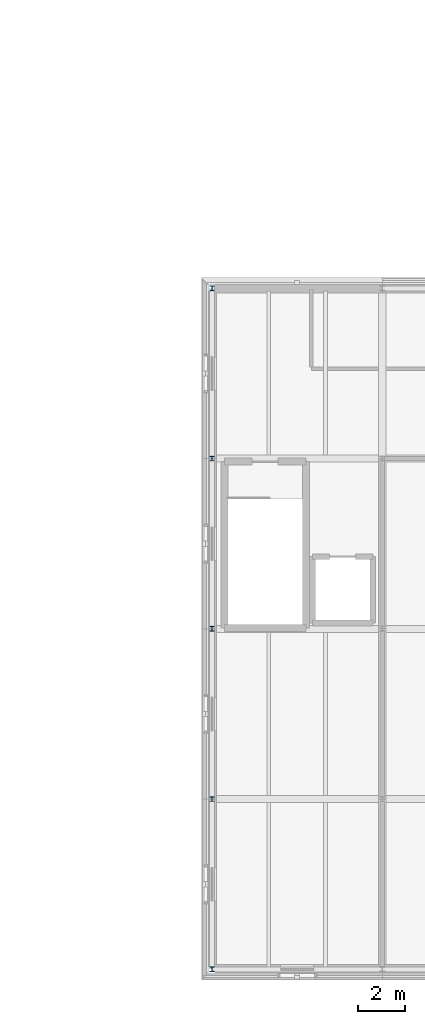
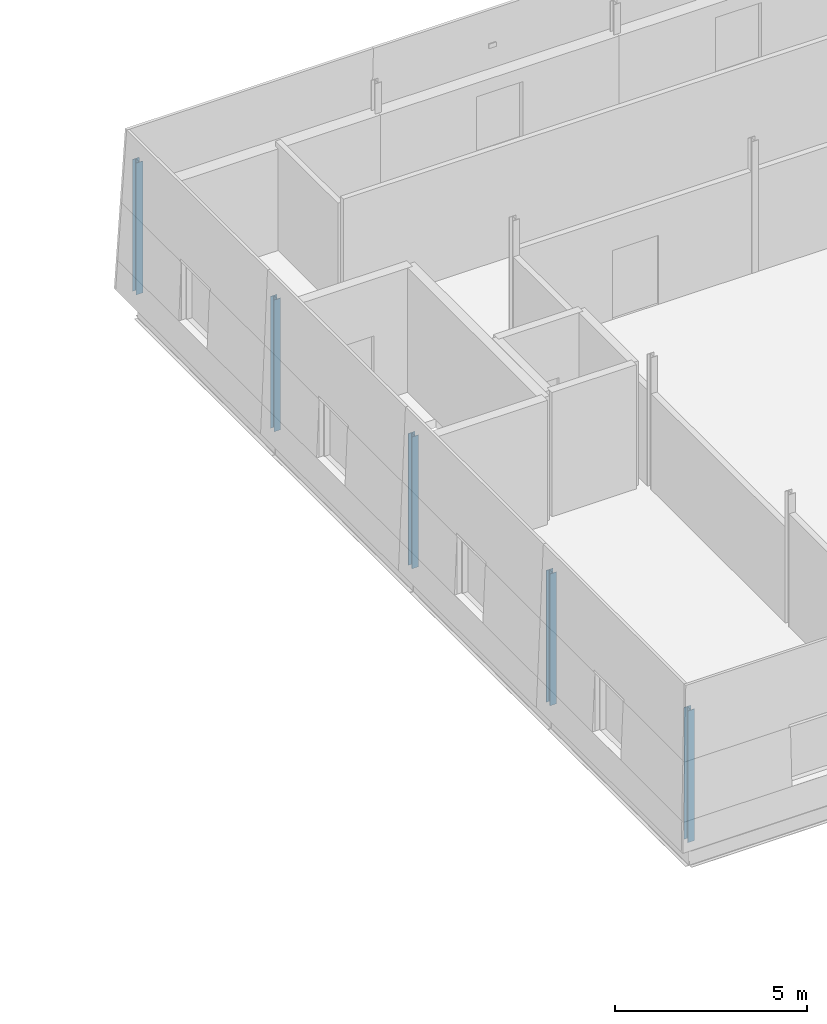
# One storey, part 3 of 91: 5 columns.
"""IFC4 building model written with IfcOpenShell, lengths in metres."""

import ifcopenshell
import ifcopenshell.guid

model = None  # the IFC model being written
_history = None  # IfcOwnerHistory: only IFC2X3 demands one
_inside = {}  # id of a spatial element -> (the spatial element, [elements in it])
_under = {}  # id of a project, library or spatial element -> (it, [spatial elements below it])
_declared = {}  # id of a project -> (the project, [libraries it declares])
_typed = {}  # id of a type object -> (the type object, [elements of that type])
_made_of = {}  # id of a material, layer set ... -> (it, [elements and type objects made of it])


def new_model(schema):
    """Start an empty IFC model of exactly this schema.

    Asked for "IFC4X3", IfcOpenShell would pick the latest addendum, in which some entities
    have other attributes; the version numbers below select the first issue.
    IFC2X3 requires an IfcOwnerHistory on every rooted entity: one is made here for all.
    """
    global model, _history
    if schema == "IFC4X3":
        model = ifcopenshell.file(schema_version=(4, 3, 0, 0))
    else:
        model = ifcopenshell.file(schema=schema)
    _inside.clear()
    _under.clear()
    _declared.clear()
    _typed.clear()
    _made_of.clear()
    _history = None
    if model.schema == "IFC2X3":
        org = make("IfcOrganization", Name="unknown")
        user = make(
            "IfcPersonAndOrganization",
            ThePerson=make("IfcPerson", FamilyName="unknown"),
            TheOrganization=org,
        )
        app = make(
            "IfcApplication",
            ApplicationDeveloper=org,
            Version="unknown",
            ApplicationFullName="unknown",
            ApplicationIdentifier="unknown",
        )
        _history = make(
            "IfcOwnerHistory",
            OwningUser=user,
            OwningApplication=app,
            ChangeAction="ADDED",
            CreationDate=0,
        )
    return model


def make(cls, **values):
    """One entity of the class cls with the attributes given. An attribute that is None is left unset."""
    return model.create_entity(
        cls, **{name: value for name, value in values.items() if value is not None}
    )


def rooted(cls, **values):
    """An entity with a GlobalId (a new one), such as an element, a storey or a relation."""
    return make(cls, GlobalId=ifcopenshell.guid.new(), OwnerHistory=_history, **values)


def si_unit(unit_type, name, prefix=None):
    """IfcSIUnit, for example si_unit("LENGTHUNIT", "METRE", prefix="MILLI")."""
    return make("IfcSIUnit", UnitType=unit_type, Prefix=prefix, Name=name)


def assignment(units):
    """IfcUnitAssignment: the units of a project."""
    return None if units is None else make("IfcUnitAssignment", Units=units)


def point(xyz):
    """IfcCartesianPoint."""
    return None if xyz is None else make("IfcCartesianPoint", Coordinates=xyz)


def direction(xyz):
    """IfcDirection."""
    return None if xyz is None else make("IfcDirection", DirectionRatios=xyz)


def frame(location, z_axis=None, x_axis=None):
    """IfcAxis2Placement3D, a coordinate frame: its origin and axes. An axis left out is left unset."""
    return make(
        "IfcAxis2Placement3D",
        Location=point(location),
        Axis=direction(z_axis),
        RefDirection=direction(x_axis),
    )


def frame_2d(location, x_axis=None):
    """IfcAxis2Placement2D, a coordinate frame in the plane: its origin and x axis."""
    return make(
        "IfcAxis2Placement2D", Location=point(location), RefDirection=direction(x_axis)
    )


def origin():
    """The frame at (0, 0, 0) with its axes left unset."""
    return frame((0.0, 0.0, 0.0))


def origin_2d():
    """The frame at (0, 0) in the plane with its x axis left unset."""
    return frame_2d((0.0, 0.0))


def place(relative_to, where):
    """IfcLocalPlacement: puts the frame where relative to a parent placement (None: the world)."""
    return make(
        "IfcLocalPlacement", PlacementRelTo=relative_to, RelativePlacement=where
    )


def context(
    kind, dimensions, precision=None, world=None, true_north=None, identifier=None
):
    """IfcGeometricRepresentationContext, for example the 3D "Model" context."""
    return make(
        "IfcGeometricRepresentationContext",
        ContextIdentifier=identifier,
        ContextType=kind,
        CoordinateSpaceDimension=dimensions,
        Precision=precision,
        WorldCoordinateSystem=world,
        TrueNorth=true_north,
    )


def subcontext(parent, identifier, kind, view, scale=None):
    """IfcGeometricRepresentationSubContext, for example "Body" below "Model"."""
    return make(
        "IfcGeometricRepresentationSubContext",
        ContextIdentifier=identifier,
        ContextType=kind,
        ParentContext=parent,
        TargetScale=scale,
        TargetView=view,
    )


def project(units=None, contexts=None):
    """IfcProject with its units and contexts."""
    return rooted(
        "IfcProject",
        Name="project",
        RepresentationContexts=contexts,
        UnitsInContext=assignment(units),
    )


def spatial(cls, under=None, at=None, **own):
    """A site, building, storey or space (cls), placed at a placement, below another one or the project."""
    s = rooted(cls, ObjectPlacement=at, **own)
    if under is not None:
        _under.setdefault(under.id(), (under, []))[1].append(s)
    return s


def profile(cls, at=None, kind="AREA", **sizes):
    """A parametric profile (cls). Its sizes go by their IFC names, for example OverallWidth=200.0."""
    return make(cls, ProfileType=kind, Position=at, **sizes)


def i_section(**sizes):
    """IfcIShapeProfileDef."""
    return profile("IfcIShapeProfileDef", **sizes)


def extrude(swept, where, along, depth):
    """IfcExtrudedAreaSolid: the profile swept, set in the frame where, extruded along a direction by depth."""
    return make(
        "IfcExtrudedAreaSolid",
        SweptArea=swept,
        Position=where,
        ExtrudedDirection=direction(along),
        Depth=depth,
    )


def shape(context_of_items, identifier, shape_type, items):
    """IfcShapeRepresentation: the items that make up one representation, for example the "Body"."""
    return make(
        "IfcShapeRepresentation",
        ContextOfItems=context_of_items,
        RepresentationIdentifier=identifier,
        RepresentationType=shape_type,
        Items=items,
    )


def material(Name=None, Category=None):
    """IfcMaterial."""
    return make("IfcMaterial", Name=Name, Category=Category)


def material_profile(
    of_material, cross_section, Name=None, Category=None, Priority=None
):
    """IfcMaterialProfile: a cross section and its material."""
    return make(
        "IfcMaterialProfile",
        Name=Name,
        Material=of_material,
        Profile=cross_section,
        Priority=Priority,
        Category=Category,
    )


def profile_set(profiles, Name=None, composite=None):
    """IfcMaterialProfileSet."""
    return make(
        "IfcMaterialProfileSet",
        Name=Name,
        MaterialProfiles=profiles,
        CompositeProfile=composite,
    )


def made_of(thing, what):
    """Note that an element or type object is made of a material, layer set ...; save() writes the relation."""
    if what is not None:
        _made_of.setdefault(what.id(), (what, []))[1].append(thing)
    return thing


def type_object(cls, material=None, **own):
    """A type object (cls), such as IfcWallType, which elements share."""
    return made_of(rooted(cls, **own), material)


def element(
    cls,
    number,
    at=None,
    inside=None,
    cuts=None,
    type_object=None,
    material=None,
    context=None,
    identifier="Body",
    shape_type=None,
    held_by="IfcProductDefinitionShape",
    body=None,
    shapes=None,
    **own,
):
    """One element of the class cls, such as IfcWall. Its Tag is "e" and its number.

    at: its placement. inside: the storey or other place that contains it. cuts: it is an
    opening in that element (IfcRelVoidsElement). A single representation is given by context,
    identifier, shape_type and body (its items); several are given by shapes. held_by: the class
    of the entity that holds the representations. save() writes the other relations.
    """
    e = rooted(cls, Tag="e%d" % number, ObjectPlacement=at, **own)
    if body is not None:
        shapes = [shape(context, identifier, shape_type, body)]
    if shapes is not None:
        e.Representation = make(held_by, Representations=shapes)
    if inside is not None:
        _inside.setdefault(inside.id(), (inside, []))[1].append(e)
    if cuts is not None:
        rooted(
            "IfcRelVoidsElement", RelatingBuildingElement=cuts, RelatedOpeningElement=e
        )
    if type_object is not None:
        _typed.setdefault(type_object.id(), (type_object, []))[1].append(e)
    return made_of(e, material)


def aggregate(whole, parts):
    """IfcRelAggregates: a whole, such as a stair, and the parts it consists of."""
    return rooted("IfcRelAggregates", RelatingObject=whole, RelatedObjects=parts)


def save(model, path):
    """Write the relations noted so far, then the file.

    IfcRelAggregates (storeys below a building ...), IfcRelContainedInSpatialStructure (elements
    in a storey), IfcRelDefinesByType, IfcRelAssociatesMaterial and IfcRelDeclares: one each for
    every whole, place, type object, material and project.
    """
    for whole, parts in _under.values():
        aggregate(whole, parts)
    for where, things in _inside.values():
        rooted(
            "IfcRelContainedInSpatialStructure",
            RelatedElements=things,
            RelatingStructure=where,
        )
    for kind, things in _typed.values():
        rooted("IfcRelDefinesByType", RelatedObjects=things, RelatingType=kind)
    for what, things in _made_of.values():
        rooted("IfcRelAssociatesMaterial", RelatedObjects=things, RelatingMaterial=what)
    for by, libraries in _declared.values():
        rooted("IfcRelDeclares", RelatingContext=by, RelatedDefinitions=libraries)
    model.write(path)


model = new_model("IFC4")

# Units and contexts
model_context = context("Model", 3, precision=1e-05, world=origin(), true_north=direction((0.0, 1.0)))
body_context = subcontext(model_context, "Body", "Model", "MODEL_VIEW")
ifc_project = project(units=[si_unit("LENGTHUNIT", "METRE"), si_unit("AREAUNIT", "SQUARE_METRE"), si_unit("VOLUMEUNIT", "CUBIC_METRE"), si_unit("PLANEANGLEUNIT", "RADIAN"), si_unit("MASSUNIT", "GRAM", prefix="KILO")], contexts=[model_context])

# Site, building, storey
site_placement = place(None, origin())
site = spatial("IfcSite", under=ifc_project, at=site_placement, CompositionType="ELEMENT")
building_placement = place(site_placement, origin())
building = spatial("IfcBuilding", under=site, at=building_placement, Name="Narikvali Park Central Library", CompositionType="ELEMENT")
storey_placement = place(building_placement, frame((0.0, 0.0, 14.39990234375)))
storey = spatial("IfcBuildingStorey", under=building, at=storey_placement, Name="L03", CompositionType="ELEMENT", Elevation=14.39990234375)

# Columns
ifc_material = material(Name="Steel S355", Category="steel")
ifc_material_profile = material_profile(ifc_material, i_section(OverallWidth=0.199951171875, OverallDepth=0.199951171875, WebThickness=0.009033203125, FlangeThickness=0.014892578125, FilletRadius=0.01806640625, at=origin_2d()), Name="HEB 200")
ifc_profile_set = profile_set([ifc_material_profile], Name="Steel S355")
column_type = type_object("IfcColumnType", Name="Steel Column HEB200", PredefinedType="COLUMN", material=ifc_profile_set)
for number, where, z_axis, x_axis, name in (
    (1, (122.39990234375, 0.0, 0.0), (0.0, 0.0, 1.0), (1.0, 0.0, 0.0), "V6 L03 Column (122.4,0.0)"),
    (2, (122.39990234375, 7.199951171875, 0.0), (0.0, 0.0, 1.0), (1.0, 0.0, 0.0), "V6 L03 Column (122.4,7.2)"),
    (3, (122.39990234375, 14.39990234375, 0.0), (0.0, 0.0, 1.0), (1.0, 0.0, 0.0), "V6 L03 Column (122.4,14.4)"),
    (4, (122.39990234375, 21.60009765625, 0.0), (0.0, 0.0, 1.0), (1.0, 0.0, 0.0), "V6 L03 Column (122.4,21.6)"),
    (5, (122.39990234375, 28.800048828125, 0.0), (0.0, 0.0, 1.0), (1.0, 0.0, 0.0), "V6 L03 Column (122.4,28.8)"),
):
    element("IfcColumn", number, at=place(storey_placement, frame(where, z_axis=z_axis, x_axis=x_axis)), inside=storey, type_object=column_type, Name=name, PredefinedType="COLUMN", context=body_context, shape_type="SweptSolid", body=[
        extrude(i_section(OverallWidth=0.199951171875, OverallDepth=0.199951171875, WebThickness=0.009033203125, FlangeThickness=0.014892578125, FilletRadius=0.01806640625, at=origin_2d()), origin(), (0.0, 0.0, 1.0), 4.2001953125),
    ])

save(model, "model.ifc")
